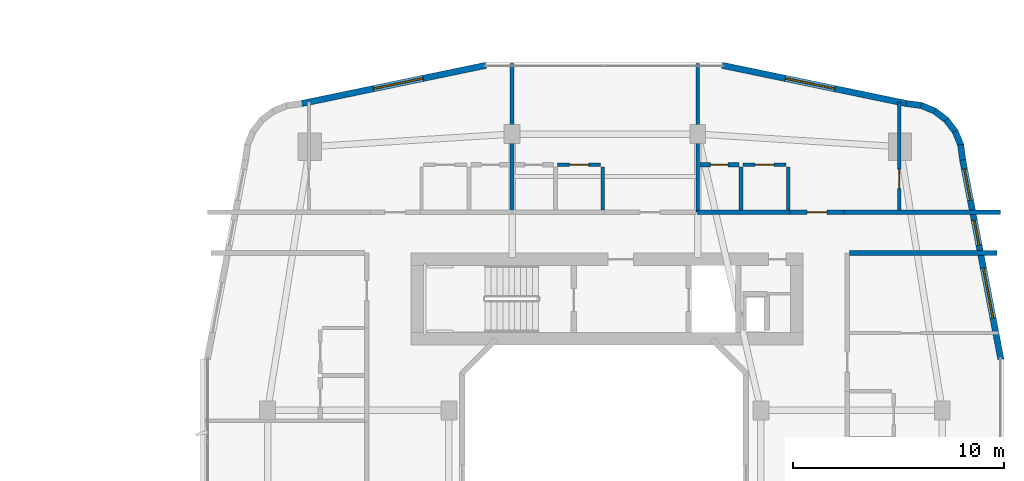
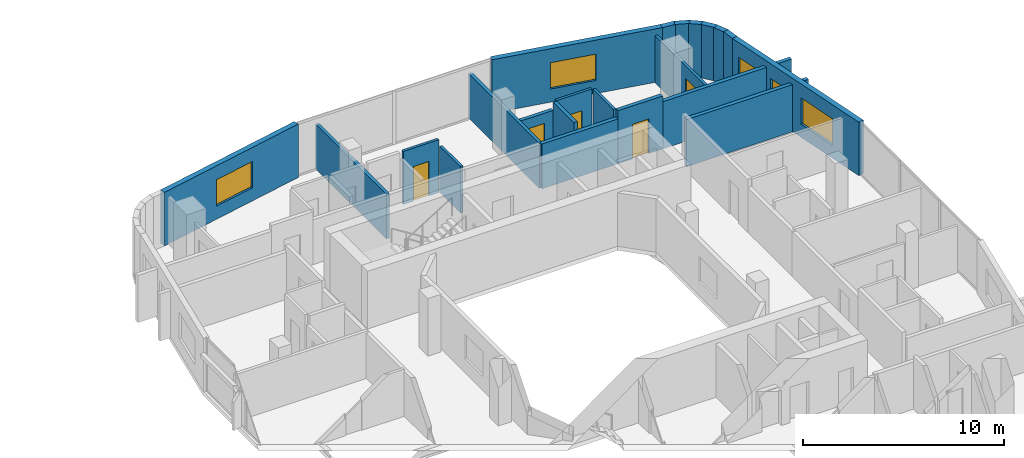
# One storey, part 21 of 27: 22 walls, 5 doors, 5 windows, 10 openings.
"""IFC4 building model written with IfcOpenShell, lengths in metres."""

from ifc_helpers import new_model, si_unit, derived_unit, direction, frame, frame_2d, origin, place, context, subcontext, project, spatial, rectangle, extrude, material, layer, layer_set, type_object, element, fill, save


model = new_model("IFC4")

# Units and contexts
model_context = context("Model", 3, precision=1e-05, world=origin(), true_north=direction((0.0, 1.0)))
body_context = subcontext(model_context, "Body", "Model", "MODEL_VIEW")
ifc_project = project(units=[si_unit("LENGTHUNIT", "METRE"), si_unit("AREAUNIT", "SQUARE_METRE"), si_unit("VOLUMEUNIT", "CUBIC_METRE"), si_unit("PLANEANGLEUNIT", "RADIAN"), si_unit("MASSUNIT", "GRAM", prefix="KILO"), derived_unit("THERMALTRANSMITTANCEUNIT", [(si_unit("POWERUNIT", "WATT"), 1), (si_unit("LENGTHUNIT", "METRE"), -2), (si_unit("THERMODYNAMICTEMPERATUREUNIT", "KELVIN"), -1)])], contexts=[model_context])

# Site, building, storey
site_placement = place(None, origin())
site = spatial("IfcSite", under=ifc_project, at=site_placement, CompositionType="ELEMENT")
building_placement = place(site_placement, origin())
building = spatial("IfcBuilding", under=site, at=building_placement, Name="Kivonza Crest Hotel", CompositionType="ELEMENT")
storey_placement = place(building_placement, frame((0.0, 0.0, 31.0)))
storey = spatial("IfcBuildingStorey", under=building, at=storey_placement, Name="L07", CompositionType="ELEMENT", Elevation=31.0)

# Walls
ifc_material_1 = material(Name="High-density acoustic masonry inter-tenancy wall", Category="masonry")
ifc_layer_1 = layer(ifc_material_1, 0.179931640625)
ifc_layer_set_1 = layer_set([ifc_layer_1], Name="High-density acoustic masonry inter-tenancy wall")
wall_type_1 = type_object("IfcWallType", Name="WL-ACOU-180", PredefinedType="SOLIDWALL", material=ifc_layer_set_1)
for number, where, z_axis, x_axis, name in (
    (1, (72.60009765625, 37.89990234375, 0.0), (0.0, 0.0, 1.0), (0.0, 1.0, 0.0), "L07 interior partition WA-L07-T2N-DIV1"),
    (2, (81.39990234375, 37.89990234375, 0.0), (0.0, 0.0, 1.0), (0.0, 1.0, 0.0), "L07 interior partition WA-L07-T2N-DIV2"),
):
    element("IfcWall", number, at=place(storey_placement, frame(where, z_axis=z_axis, x_axis=x_axis)), inside=storey, type_object=wall_type_1, Name=name, PredefinedType="SOLIDWALL", context=body_context, shape_type="SweptSolid", body=[
        extrude(rectangle(XDim=7.0400390625, YDim=0.179931640625, at=frame_2d((3.52001953125, 0.0))), origin(), (0.0, 0.0, 1.0), 2.72509765625),
    ])
ifc_material_2 = material(Name="Autoclaved aerated concrete blockwork", Category="masonry")
ifc_layer_2 = layer(ifc_material_2, 0.219970703125)
ifc_layer_set_2 = layer_set([ifc_layer_2], Name="Autoclaved aerated concrete blockwork")
wall_type_2 = type_object("IfcWallType", Name="WL-ACOU-220", PredefinedType="SOLIDWALL", material=ifc_layer_set_2)
wall_1_placement = place(storey_placement, frame((81.39990234375, 37.89990234375, 0.0), z_axis=(0.0, 0.0, 1.0), x_axis=(1.0, 0.0, 0.0)))
element("IfcWall", 3, at=wall_1_placement, inside=storey, type_object=wall_type_2, Name="L07 interior partition WA-L07-A03-LCORR", PredefinedType="SOLIDWALL", context=body_context, shape_type="SweptSolid", body=[
    extrude(rectangle(XDim=4.380126953125, YDim=0.219970703125, at=frame_2d((2.18994140625, 0.0))), origin(), (0.0, 0.0, 1.0), 2.72509765625),
])
wall_2_placement = place(storey_placement, frame((88.35009765625, 37.89990234375, 0.0), z_axis=(0.0, 0.0, 1.0), x_axis=(1.0, 0.0, 0.0)))
element("IfcWall", 4, at=wall_2_placement, inside=storey, type_object=wall_type_2, Name="L07 interior partition WA-L07-A03-RCORR", PredefinedType="SOLIDWALL", context=body_context, shape_type="SweptSolid", body=[
    extrude(rectangle(XDim=7.409912109375, YDim=0.219970703125, at=frame_2d((3.705078125, 0.0))), origin(), (0.0, 0.0, 1.0), 2.864990234375),
])

# Wall, opening, door
wall_3_placement = place(storey_placement, frame((85.780029296875, 37.89990234375, 0.0), z_axis=(0.0, 0.0, 1.0), x_axis=(1.0, 0.0, 0.0)))
wall_3 = element("IfcWall", 5, at=wall_3_placement, inside=storey, type_object=wall_type_2, Name="L07 interior partition WA-L07-A03-MCORR", PredefinedType="SOLIDWALL", context=body_context, shape_type="SweptSolid", body=[
    extrude(rectangle(XDim=2.570068359375, YDim=0.219970703125, at=frame_2d((1.28515625, 0.0))), origin(), (0.0, 0.0, 1.0), 3.219970703125),
])
opening_1_placement = place(wall_3_placement, frame((0.81005859375, 0.0, 0.0)))
opening_1 = element("IfcOpeningElement", 6, at=opening_1_placement, cuts=wall_3, Name="Opening DU-60", PredefinedType="OPENING", context=body_context, shape_type="SweptSolid", body=[
    extrude(rectangle(XDim=0.949951171875, YDim=2.10009765625, at=frame_2d((0.47509765625, 1.050048828125))), frame((0.0, 0.1201171875, 0.0), z_axis=(0.0, -1.0, 0.0), x_axis=(1.0, 0.0, 0.0)), (0.0, 0.0, 1.0), 0.239990234375),
])
ifc_material_3 = material(Name="Hardwood timber oak", Category="wood")
door_type_1 = type_object("IfcDoorType", Name="DR-UNIT-950", OperationType="NOTDEFINED", PredefinedType="DOOR", material=ifc_material_3)
door_1_placement = place(opening_1_placement, origin())
door_1 = element("IfcDoor", 7, at=door_1_placement, inside=storey, type_object=door_type_1, Name="L07 A03 apartment entrance fire door", OperationType="SINGLE_SWING_LEFT", OverallHeight=2.10009765625, OverallWidth=0.949951171875, PredefinedType="DOOR", context=body_context, shape_type="SweptSolid", body=[
    extrude(rectangle(XDim=0.949951171875, YDim=2.10009765625, at=frame_2d((0.47509765625, 1.050048828125))), frame((0.0, 0.02490234375, 0.0), z_axis=(0.0, -1.0, 0.0), x_axis=(1.0, 0.0, 0.0)), (0.0, 0.0, 1.0), 0.050048828125),
])
fill(opening_1, door_1)

# Wall
wall_4_placement = place(storey_placement, frame((88.60009765625, 35.9599609375, 0.0), z_axis=(0.0, 0.0, 1.0), x_axis=(1.0, 0.0, 0.0)))
element("IfcWall", 8, at=wall_4_placement, inside=storey, type_object=wall_type_2, Name="L07 interior partition WA-L07-T2E-ENDN", PredefinedType="SOLIDWALL", context=body_context, shape_type="SweptSolid", body=[
    extrude(rectangle(XDim=7.0, YDim=0.219970703125, at=frame_2d((3.5, 0.0))), origin(), (0.0, 0.0, 1.0), 2.864990234375),
])

# Wall, openings, windows
ifc_material_4 = material(Name="Precast concrete C40/50", Category="concrete")
ifc_layer_3 = layer(ifc_material_4, 0.300048828125)
ifc_layer_set_3 = layer_set([ifc_layer_3], Name="Precast concrete C40/50")
wall_type_3 = type_object("IfcWallType", Name="WL-EXT-300", PredefinedType="STANDARD", material=ifc_layer_set_3)
wall_5_placement = place(storey_placement, frame((95.782958984375, 30.91796875, 0.0), z_axis=(0.0, 0.0, 1.0), x_axis=(-0.188087874316, 0.982152203854, 0.0)))
wall_5 = element("IfcWall", 9, at=wall_5_placement, inside=storey, type_object=wall_type_3, Name="L07 T2 exterior insulated wall 18", PredefinedType="STANDARD", context=body_context, shape_type="SweptSolid", body=[
    extrude(rectangle(XDim=9.6337890625, YDim=0.300048828125, at=frame_2d((4.81689453125, 0.0))), origin(), (0.0, 0.0, 1.0), 3.25),
])
opening_2_placement = place(wall_5_placement, frame((1.9990234375, 0.0, 0.800048828125)))
opening_2 = element("IfcOpeningElement", 10, at=opening_2_placement, cuts=wall_5, Name="Opening WN-05", PredefinedType="OPENING", context=body_context, shape_type="SweptSolid", body=[
    extrude(rectangle(XDim=2.39990234375, YDim=1.60009765625, at=frame_2d((1.199951171875, 0.800048828125))), frame((0.0, 0.16015625, 0.0), z_axis=(0.0, -1.0, 0.0), x_axis=(1.0, 0.0, 0.0)), (0.0, 0.0, 1.0), 0.320068359375),
])
opening_3_placement = place(wall_5_placement, frame((5.52099609375, 0.0, 0.85009765625)))
opening_3 = element("IfcOpeningElement", 11, at=opening_3_placement, cuts=wall_5, Name="Opening WN-01", PredefinedType="OPENING", context=body_context, shape_type="SweptSolid", body=[
    extrude(rectangle(XDim=1.199951171875, YDim=1.5, at=frame_2d((0.60009765625, 0.75))), frame((0.0, 0.16015625, 0.0), z_axis=(0.0, -1.0, 0.0), x_axis=(1.0, 0.0, 0.0)), (0.0, 0.0, 1.0), 0.320068359375),
])
opening_4_placement = place(wall_5_placement, frame((7.681884765625, 0.0, 0.85009765625)))
opening_4 = element("IfcOpeningElement", 12, at=opening_4_placement, cuts=wall_5, Name="Opening WN-02", PredefinedType="OPENING", context=body_context, shape_type="SweptSolid", body=[
    extrude(rectangle(XDim=1.5, YDim=1.5, at=frame_2d((0.75, 0.75))), frame((0.0, 0.16015625, 0.0), z_axis=(0.0, -1.0, 0.0), x_axis=(1.0, 0.0, 0.0)), (0.0, 0.0, 1.0), 0.320068359375),
])
ifc_material_5 = material(Name="Thermally broken bronze aluminium and low-E double glazing", Category="aluminium")
window_type_1 = type_object("IfcWindowType", Name="WN-120x150", PartitioningType="SINGLE_PANEL", PredefinedType="WINDOW", material=ifc_material_5)
window_1_placement = place(opening_3_placement, origin())
window_1 = element("IfcWindow", 13, at=window_1_placement, inside=storey, type_object=window_type_1, Name="L07 T2 facade window 18 bay 2", OverallHeight=1.5, OverallWidth=1.199951171875, PartitioningType="SINGLE_PANEL", PredefinedType="WINDOW", context=body_context, shape_type="SweptSolid", body=[
    extrude(rectangle(XDim=1.199951171875, YDim=1.5, at=frame_2d((0.60009765625, 0.75))), frame((0.0, 0.030029296875, 0.0), z_axis=(0.0, -1.0, 0.0), x_axis=(1.0, 0.0, 0.0)), (0.0, 0.0, 1.0), 0.06005859375),
])
fill(opening_3, window_1)
window_type_2 = type_object("IfcWindowType", Name="WN-150x150", PartitioningType="DOUBLE_PANEL_VERTICAL", PredefinedType="WINDOW", material=ifc_material_5)
window_2_placement = place(opening_4_placement, origin())
window_2 = element("IfcWindow", 14, at=window_2_placement, inside=storey, type_object=window_type_2, Name="L07 T2 facade window 18 bay 3", OverallHeight=1.5, OverallWidth=1.5, PartitioningType="SINGLE_PANEL", PredefinedType="WINDOW", context=body_context, shape_type="SweptSolid", body=[
    extrude(rectangle(XDim=1.5, YDim=1.5, at=frame_2d((0.75, 0.75))), frame((0.0, 0.030029296875, 0.0), z_axis=(0.0, -1.0, 0.0), x_axis=(1.0, 0.0, 0.0)), (0.0, 0.0, 1.0), 0.06005859375),
])
fill(opening_4, window_2)
window_type_3 = type_object("IfcWindowType", Name="WN-240x160", PartitioningType="TRIPLE_PANEL_VERTICAL", PredefinedType="WINDOW", material=ifc_material_5)
window_3_placement = place(opening_2_placement, origin())
window_3 = element("IfcWindow", 15, at=window_3_placement, inside=storey, type_object=window_type_3, Name="L07 T2 facade window 18 bay 1", OverallHeight=1.60009765625, OverallWidth=2.39990234375, PartitioningType="SINGLE_PANEL", PredefinedType="WINDOW", context=body_context, shape_type="SweptSolid", body=[
    extrude(rectangle(XDim=2.39990234375, YDim=1.60009765625, at=frame_2d((1.199951171875, 0.800048828125))), frame((0.0, 0.030029296875, 0.0), z_axis=(0.0, -1.0, 0.0), x_axis=(1.0, 0.0, 0.0)), (0.0, 0.0, 1.0), 0.06005859375),
])
fill(opening_2, window_3)

# Walls
wall_6_placement = place(storey_placement, frame((93.971923828125, 40.373046875, 0.0), z_axis=(0.0, 0.0, 1.0), x_axis=(-0.130255288807, 0.991480488834, 0.0)))
element("IfcWall", 16, at=wall_6_placement, inside=storey, type_object=wall_type_3, Name="L07 T2 exterior insulated wall 19", PredefinedType="STANDARD", context=body_context, shape_type="SweptSolid", body=[
    extrude(rectangle(XDim=0.72900390625, YDim=0.300048828125, at=frame_2d((0.364501953125, 0.0))), origin(), (0.0, 0.0, 1.0), 3.25),
])
wall_7_placement = place(storey_placement, frame((93.89599609375, 41.044921875, 0.0), z_axis=(0.0, 0.0, 1.0), x_axis=(-0.383267045233, 0.923637576129, 0.0)))
element("IfcWall", 17, at=wall_7_placement, inside=storey, type_object=wall_type_3, Name="L07 T2 exterior insulated wall 20", PredefinedType="STANDARD", context=body_context, shape_type="SweptSolid", body=[
    extrude(rectangle(XDim=0.745849609375, YDim=0.300048828125, at=frame_2d((0.373046875, 0.0))), origin(), (0.0, 0.0, 1.0), 3.25),
])
for number, where, z_axis, x_axis, name in (
    (18, (93.64111328125, 41.68896484375, 0.0), (0.0, 0.0, 1.0), (-0.608603261071, 0.793474681772, 0.0), "L07 T2 exterior insulated wall 21"),
    (19, (93.22900390625, 42.24609375, 0.0), (0.0, 0.0, 1.0), (-0.79363269798, 0.608397189915, 0.0), "L07 T2 exterior insulated wall 22"),
):
    element("IfcWall", number, at=place(storey_placement, frame(where, z_axis=z_axis, x_axis=x_axis)), inside=storey, type_object=wall_type_3, Name=name, PredefinedType="STANDARD", context=body_context, shape_type="SweptSolid", body=[
        extrude(rectangle(XDim=0.74609375, YDim=0.300048828125, at=frame_2d((0.373046875, 0.0))), origin(), (0.0, 0.0, 1.0), 3.25),
    ])
wall_8_placement = place(storey_placement, frame((92.68603515625, 42.676025390625, 0.0), z_axis=(0.0, 0.0, 1.0), x_axis=(-0.923637576129, 0.383267045233, 0.0)))
element("IfcWall", 20, at=wall_8_placement, inside=storey, type_object=wall_type_3, Name="L07 T2 exterior insulated wall 23", PredefinedType="STANDARD", context=body_context, shape_type="SweptSolid", body=[
    extrude(rectangle(XDim=0.745849609375, YDim=0.300048828125, at=frame_2d((0.373046875, 0.0))), origin(), (0.0, 0.0, 1.0), 3.25),
])
wall_9_placement = place(storey_placement, frame((92.051025390625, 42.952880859375, 0.0), z_axis=(0.0, 0.0, 1.0), x_axis=(-0.991559404866, 0.129653178221, 0.0)))
element("IfcWall", 21, at=wall_9_placement, inside=storey, type_object=wall_type_3, Name="L07 T2 exterior insulated wall 24", PredefinedType="STANDARD", context=body_context, shape_type="SweptSolid", body=[
    extrude(rectangle(XDim=0.764404296875, YDim=0.300048828125, at=frame_2d((0.38232421875, 0.0))), origin(), (0.0, 0.0, 1.0), 3.25),
])

# Wall, opening, window
wall_10_placement = place(storey_placement, frame((91.298095703125, 43.051025390625, 0.0), z_axis=(0.0, 0.0, 1.0), x_axis=(-0.979128391325, 0.203242695569, 0.0)))
wall_10 = element("IfcWall", 22, at=wall_10_placement, inside=storey, type_object=wall_type_3, Name="L07 T2 exterior insulated wall 25", PredefinedType="STANDARD", context=body_context, shape_type="SweptSolid", body=[
    extrude(rectangle(XDim=8.92041015625, YDim=0.300048828125, at=frame_2d((4.460205078125, 0.0))), origin(), (0.0, 0.0, 1.0), 3.25),
])
opening_5_placement = place(wall_10_placement, frame((3.471923828125, 0.0, 0.800048828125)))
opening_5 = element("IfcOpeningElement", 23, at=opening_5_placement, cuts=wall_10, Name="Opening WN-05", PredefinedType="OPENING", context=body_context, shape_type="SweptSolid", body=[
    extrude(rectangle(XDim=2.39990234375, YDim=1.60009765625, at=frame_2d((1.199951171875, 0.800048828125))), frame((0.0, 0.16015625, 0.0), z_axis=(0.0, -1.0, 0.0), x_axis=(1.0, 0.0, 0.0)), (0.0, 0.0, 1.0), 0.320068359375),
])
window_4_placement = place(opening_5_placement, origin())
window_4 = element("IfcWindow", 24, at=window_4_placement, inside=storey, type_object=window_type_3, Name="L07 T2 facade window 25", OverallHeight=1.60009765625, OverallWidth=2.39990234375, PartitioningType="SINGLE_PANEL", PredefinedType="WINDOW", context=body_context, shape_type="SweptSolid", body=[
    extrude(rectangle(XDim=2.39990234375, YDim=1.60009765625, at=frame_2d((1.199951171875, 0.800048828125))), frame((0.0, 0.030029296875, 0.0), z_axis=(0.0, -1.0, 0.0), x_axis=(1.0, 0.0, 0.0)), (0.0, 0.0, 1.0), 0.06005859375),
])
fill(opening_5, window_4)

wall_11_placement = place(storey_placement, frame((71.35595703125, 44.864013671875, 0.0), z_axis=(0.0, 0.0, 1.0), x_axis=(-0.979127260729, -0.203248142175, 0.0)))
wall_11 = element("IfcWall", 25, at=wall_11_placement, inside=storey, type_object=wall_type_3, Name="L07 T2 exterior insulated wall 27", PredefinedType="STANDARD", context=body_context, shape_type="SweptSolid", body=[
    extrude(rectangle(XDim=8.920166015625, YDim=0.300048828125, at=frame_2d((4.4599609375, 0.0))), origin(), (0.0, 0.0, 1.0), 3.25),
])
opening_6_placement = place(wall_11_placement, frame((3.048095703125, 0.0, 0.800048828125)))
opening_6 = element("IfcOpeningElement", 26, at=opening_6_placement, cuts=wall_11, Name="Opening WN-05", PredefinedType="OPENING", context=body_context, shape_type="SweptSolid", body=[
    extrude(rectangle(XDim=2.39990234375, YDim=1.60009765625, at=frame_2d((1.199951171875, 0.800048828125))), frame((0.0, 0.16015625, 0.0), z_axis=(0.0, -1.0, 0.0), x_axis=(1.0, 0.0, 0.0)), (0.0, 0.0, 1.0), 0.320068359375),
])
window_5_placement = place(opening_6_placement, origin())
window_5 = element("IfcWindow", 27, at=window_5_placement, inside=storey, type_object=window_type_3, Name="L07 T2 facade window 27", OverallHeight=1.60009765625, OverallWidth=2.39990234375, PartitioningType="SINGLE_PANEL", PredefinedType="WINDOW", context=body_context, shape_type="SweptSolid", body=[
    extrude(rectangle(XDim=2.39990234375, YDim=1.60009765625, at=frame_2d((1.199951171875, 0.800048828125))), frame((0.0, 0.030029296875, 0.0), z_axis=(0.0, -1.0, 0.0), x_axis=(1.0, 0.0, 0.0)), (0.0, 0.0, 1.0), 0.06005859375),
])
fill(opening_6, window_5)

# Wall
ifc_material_6 = material(Name="Twin-stud acoustic gypsum board partition", Category="gypsum")
ifc_layer_4 = layer(ifc_material_6, 0.14990234375)
ifc_layer_set_4 = layer_set([ifc_layer_4], Name="Twin-stud acoustic gypsum board partition")
wall_type_4 = type_object("IfcWallType", Name="WL-PART-150", PredefinedType="PARTITIONING", material=ifc_layer_set_4)
wall_12_placement = place(storey_placement, frame((76.89990234375, 38.0, 0.0), z_axis=(0.0, 0.0, 1.0), x_axis=(0.0, 1.0, 0.0)))
element("IfcWall", 28, at=wall_12_placement, inside=storey, type_object=wall_type_4, Name="L07 interior partition WP-L07-A02-KF", PredefinedType="PARTITIONING", context=body_context, shape_type="SweptSolid", body=[
    extrude(rectangle(XDim=2.050048828125, YDim=0.14990234375, at=frame_2d((1.02490234375, 0.0))), origin(), (0.0, 0.0, 1.0), 2.824951171875),
])

# Wall, opening, door
wall_13_placement = place(storey_placement, frame((74.75, 40.14990234375, 0.0), z_axis=(0.0, 0.0, 1.0), x_axis=(1.0, 0.0, 0.0)))
wall_13 = element("IfcWall", 29, at=wall_13_placement, inside=storey, type_object=wall_type_4, Name="L07 interior partition WP-L07-A02-KSVC", PredefinedType="PARTITIONING", context=body_context, shape_type="SweptSolid", body=[
    extrude(rectangle(XDim=2.050048828125, YDim=0.14990234375, at=frame_2d((1.02490234375, 0.0))), origin(), (0.0, 0.0, 1.0), 3.219970703125),
])
opening_7_placement = place(wall_13_placement, frame((0.574951171875, 0.0, 0.0)))
opening_7 = element("IfcOpeningElement", 30, at=opening_7_placement, cuts=wall_13, Name="Opening DI-90", PredefinedType="OPENING", context=body_context, shape_type="SweptSolid", body=[
    extrude(rectangle(XDim=0.89990234375, YDim=2.10009765625, at=frame_2d((0.449951171875, 1.050048828125))), frame((0.0, 0.0849609375, 0.0), z_axis=(0.0, -1.0, 0.0), x_axis=(1.0, 0.0, 0.0)), (0.0, 0.0, 1.0), 0.169921875),
])
door_type_2 = type_object("IfcDoorType", Name="DR-INT-900", OperationType="NOTDEFINED", PredefinedType="DOOR", material=ifc_material_3)
door_2_placement = place(opening_7_placement, origin())
door_2 = element("IfcDoor", 31, at=door_2_placement, inside=storey, type_object=door_type_2, Name="L07 A02 apartment kitchen door", OperationType="SINGLE_SWING_RIGHT", OverallHeight=2.10009765625, OverallWidth=0.89990234375, PredefinedType="DOOR", context=body_context, shape_type="SweptSolid", body=[
    extrude(rectangle(XDim=0.89990234375, YDim=2.10009765625, at=frame_2d((0.449951171875, 1.050048828125))), frame((0.0, 0.02490234375, 0.0), z_axis=(0.0, -1.0, 0.0), x_axis=(1.0, 0.0, 0.0)), (0.0, 0.0, 1.0), 0.050048828125),
])
fill(opening_7, door_2)

wall_14_placement = place(storey_placement, frame((90.9599609375, 38.0, 0.0), z_axis=(0.0, 0.0, 1.0), x_axis=(0.0, 1.0, 0.0)))
wall_14 = element("IfcWall", 32, at=wall_14_placement, inside=storey, type_object=wall_type_4, Name="L07 interior partition WP-L07-A03-BDW1", PredefinedType="PARTITIONING", context=body_context, shape_type="SweptSolid", body=[
    extrude(rectangle(XDim=5.113037109375, YDim=0.14990234375, at=frame_2d((2.556640625, 0.0))), origin(), (0.0, 0.0, 1.0), 2.864990234375),
])
opening_8_placement = place(wall_14_placement, frame((1.030029296875, 0.0, 0.0)))
opening_8 = element("IfcOpeningElement", 33, at=opening_8_placement, cuts=wall_14, Name="Opening DI-90", PredefinedType="OPENING", context=body_context, shape_type="SweptSolid", body=[
    extrude(rectangle(XDim=0.89990234375, YDim=2.10009765625, at=frame_2d((0.449951171875, 1.050048828125))), frame((0.0, 0.0849609375, 0.0), z_axis=(0.0, -1.0, 0.0), x_axis=(1.0, 0.0, 0.0)), (0.0, 0.0, 1.0), 0.169921875),
])
door_3_placement = place(opening_8_placement, origin())
door_3 = element("IfcDoor", 34, at=door_3_placement, inside=storey, type_object=door_type_2, Name="L07 A03 bedroom 1 door", OperationType="SINGLE_SWING_RIGHT", OverallHeight=2.10009765625, OverallWidth=0.89990234375, PredefinedType="DOOR", context=body_context, shape_type="SweptSolid", body=[
    extrude(rectangle(XDim=0.89990234375, YDim=2.10009765625, at=frame_2d((0.449951171875, 1.050048828125))), frame((0.0, 0.02490234375, 0.0), z_axis=(0.0, -1.0, 0.0), x_axis=(1.0, 0.0, 0.0)), (0.0, 0.0, 1.0), 0.050048828125),
])
fill(opening_8, door_3)

# Wall
wall_15_placement = place(storey_placement, frame((85.699951171875, 38.0, 0.0), z_axis=(0.0, 0.0, 1.0), x_axis=(0.0, 1.0, 0.0)))
element("IfcWall", 35, at=wall_15_placement, inside=storey, type_object=wall_type_4, Name="L07 interior partition WP-L07-A03-KF", PredefinedType="PARTITIONING", context=body_context, shape_type="SweptSolid", body=[
    extrude(rectangle(XDim=2.050048828125, YDim=0.14990234375, at=frame_2d((1.02490234375, 0.0))), origin(), (0.0, 0.0, 1.0), 3.219970703125),
])

# Wall, opening, door
wall_16_placement = place(storey_placement, frame((83.550048828125, 40.14990234375, 0.0), z_axis=(0.0, 0.0, 1.0), x_axis=(1.0, 0.0, 0.0)))
wall_16 = element("IfcWall", 36, at=wall_16_placement, inside=storey, type_object=wall_type_4, Name="L07 interior partition WP-L07-A03-KSVC", PredefinedType="PARTITIONING", context=body_context, shape_type="SweptSolid", body=[
    extrude(rectangle(XDim=2.050048828125, YDim=0.14990234375, at=frame_2d((1.02490234375, 0.0))), origin(), (0.0, 0.0, 1.0), 3.219970703125),
])
opening_9_placement = place(wall_16_placement, frame((0.574951171875, 0.0, 0.0)))
opening_9 = element("IfcOpeningElement", 37, at=opening_9_placement, cuts=wall_16, Name="Opening DI-90", PredefinedType="OPENING", context=body_context, shape_type="SweptSolid", body=[
    extrude(rectangle(XDim=0.89990234375, YDim=2.10009765625, at=frame_2d((0.449951171875, 1.050048828125))), frame((0.0, 0.0849609375, 0.0), z_axis=(0.0, -1.0, 0.0), x_axis=(1.0, 0.0, 0.0)), (0.0, 0.0, 1.0), 0.169921875),
])
door_4_placement = place(opening_9_placement, origin())
door_4 = element("IfcDoor", 38, at=door_4_placement, inside=storey, type_object=door_type_2, Name="L07 A03 apartment kitchen door", OperationType="SINGLE_SWING_LEFT", OverallHeight=2.10009765625, OverallWidth=0.89990234375, PredefinedType="DOOR", context=body_context, shape_type="SweptSolid", body=[
    extrude(rectangle(XDim=0.89990234375, YDim=2.10009765625, at=frame_2d((0.449951171875, 1.050048828125))), frame((0.0, 0.02490234375, 0.0), z_axis=(0.0, -1.0, 0.0), x_axis=(1.0, 0.0, 0.0)), (0.0, 0.0, 1.0), 0.050048828125),
])
fill(opening_9, door_4)

# Wall
ifc_material_7 = material(Name="Moisture-resistant plumbing chase partition wall", Category="gypsum")
ifc_layer_5 = layer(ifc_material_7, 0.199951171875)
ifc_layer_set_5 = layer_set([ifc_layer_5], Name="Moisture-resistant plumbing chase partition wall")
wall_type_5 = type_object("IfcWallType", Name="WL-PLUMB-200", PredefinedType="PLUMBINGWALL", material=ifc_layer_set_5)
wall_17_placement = place(storey_placement, frame((83.449951171875, 38.0, 0.0), z_axis=(0.0, 0.0, 1.0), x_axis=(0.0, 1.0, 0.0)))
element("IfcWall", 39, at=wall_17_placement, inside=storey, type_object=wall_type_5, Name="L07 interior partition WW-L07-A03-BK", PredefinedType="PLUMBINGWALL", context=body_context, shape_type="SweptSolid", body=[
    extrude(rectangle(XDim=2.050048828125, YDim=0.199951171875, at=frame_2d((1.02490234375, 0.0))), origin(), (0.0, 0.0, 1.0), 3.219970703125),
])

# Wall, opening, door
wall_18_placement = place(storey_placement, frame((81.5, 40.14990234375, 0.0), z_axis=(0.0, 0.0, 1.0), x_axis=(1.0, 0.0, 0.0)))
wall_18 = element("IfcWall", 40, at=wall_18_placement, inside=storey, type_object=wall_type_5, Name="L07 interior partition WW-L07-A03-BSVC", PredefinedType="PLUMBINGWALL", context=body_context, shape_type="SweptSolid", body=[
    extrude(rectangle(XDim=1.85009765625, YDim=0.199951171875, at=frame_2d((0.925048828125, 0.0))), origin(), (0.0, 0.0, 1.0), 2.72509765625),
])
opening_10_placement = place(wall_18_placement, frame((0.5, 0.0, 0.0)))
opening_10 = element("IfcOpeningElement", 41, at=opening_10_placement, cuts=wall_18, Name="Opening DI-85", PredefinedType="OPENING", context=body_context, shape_type="SweptSolid", body=[
    extrude(rectangle(XDim=0.85009765625, YDim=2.10009765625, at=frame_2d((0.425048828125, 1.050048828125))), frame((0.0, 0.10986328125, 0.0), z_axis=(0.0, -1.0, 0.0), x_axis=(1.0, 0.0, 0.0)), (0.0, 0.0, 1.0), 0.219970703125),
])
door_type_3 = type_object("IfcDoorType", Name="DR-INT-850", OperationType="NOTDEFINED", PredefinedType="DOOR", material=ifc_material_3)
door_5_placement = place(opening_10_placement, origin())
door_5 = element("IfcDoor", 42, at=door_5_placement, inside=storey, type_object=door_type_3, Name="L07 A03 apartment bathroom door", OperationType="SINGLE_SWING_RIGHT", OverallHeight=2.10009765625, OverallWidth=0.85009765625, PredefinedType="DOOR", context=body_context, shape_type="SweptSolid", body=[
    extrude(rectangle(XDim=0.85009765625, YDim=2.10009765625, at=frame_2d((0.425048828125, 1.050048828125))), frame((0.0, 0.02490234375, 0.0), z_axis=(0.0, -1.0, 0.0), x_axis=(1.0, 0.0, 0.0)), (0.0, 0.0, 1.0), 0.050048828125),
])
fill(opening_10, door_5)

save(model, "model.ifc")
